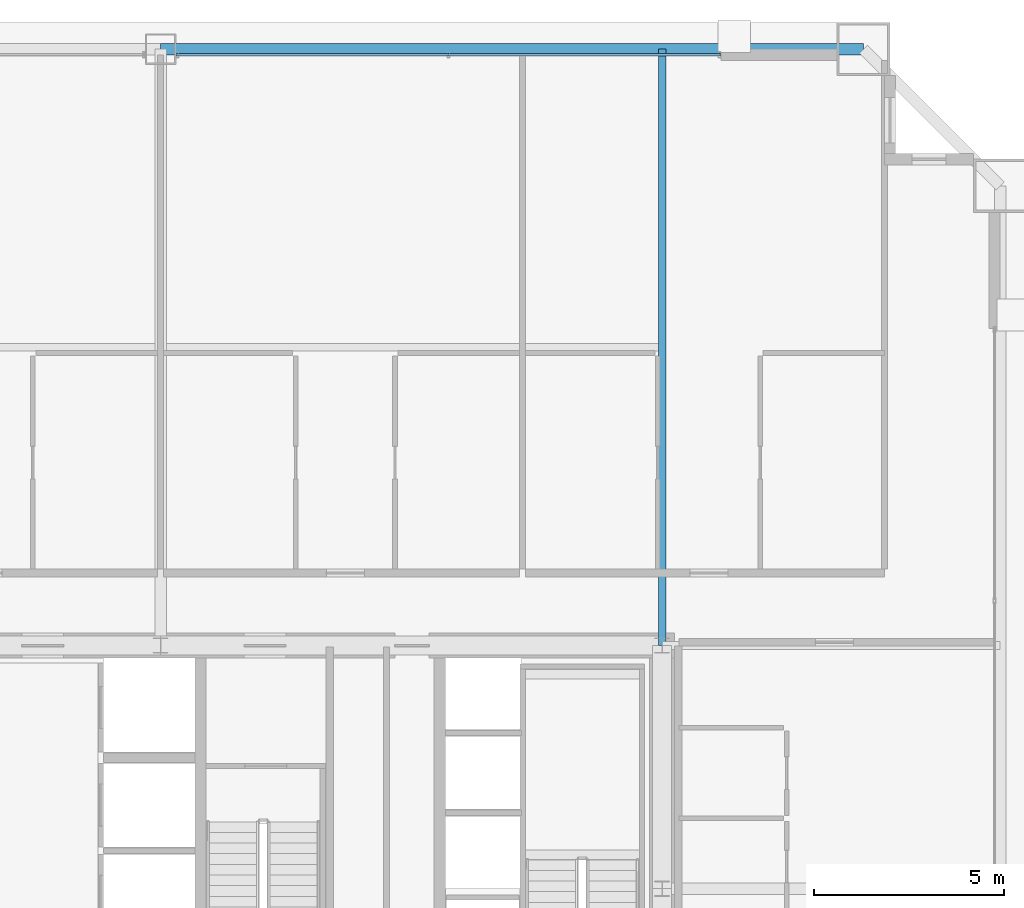
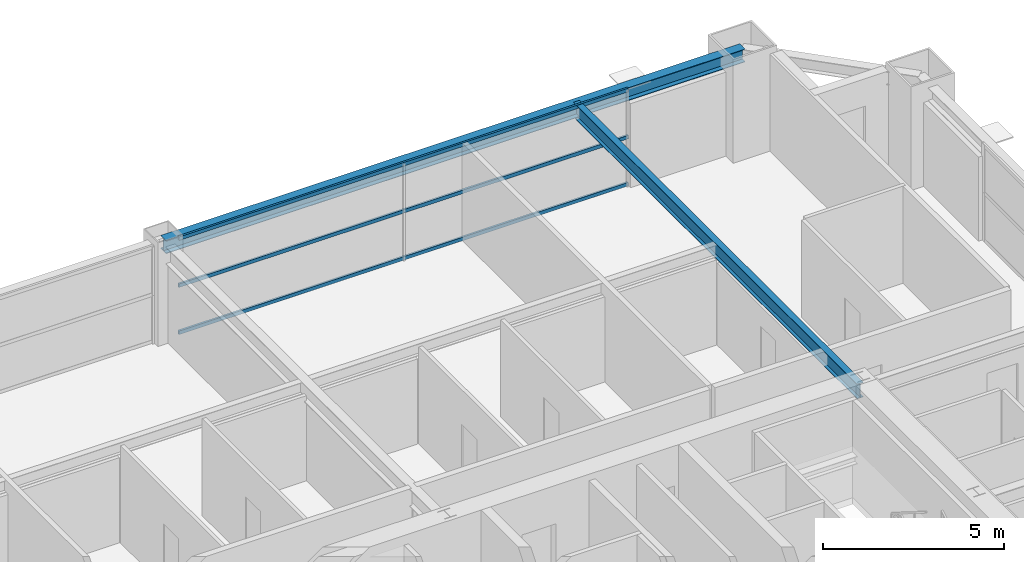
# One storey, part 30 of 38: 3 members, 2 beams, 1 element without a shape of its own.
"""IFC4 building model written with IfcOpenShell, lengths in metres."""

from ifc_helpers import new_model, si_unit, direction, frame, origin, origin_2d, place, context, subcontext, project, spatial, hollow_rectangle, i_section, extrude, source, transform, mapped, material, layer, layer_set, material_profile, profile_set, type_object, element, aggregate, save


model = new_model("IFC4")

# Units and contexts
model_context = context("Model", 3, precision=1e-05, world=origin(), true_north=direction((0.0, 1.0)))
body_context = subcontext(model_context, "Body", "Model", "MODEL_VIEW")
ifc_project = project(units=[si_unit("LENGTHUNIT", "METRE"), si_unit("AREAUNIT", "SQUARE_METRE"), si_unit("VOLUMEUNIT", "CUBIC_METRE"), si_unit("PLANEANGLEUNIT", "RADIAN"), si_unit("MASSUNIT", "GRAM", prefix="KILO"), si_unit("THERMODYNAMICTEMPERATUREUNIT", "KELVIN"), si_unit("POWERUNIT", "WATT")], contexts=[model_context])

# Site, building, storey
site_placement = place(None, origin())
site = spatial("IfcSite", under=ifc_project, at=site_placement, CompositionType="ELEMENT")
building_placement = place(site_placement, origin())
building = spatial("IfcBuilding", under=site, at=building_placement, Name="Yuzanri Waterfront Tower", CompositionType="ELEMENT")
storey_placement = place(building_placement, frame((0.0, 0.0, 181.0)))
storey = spatial("IfcBuildingStorey", under=building, at=storey_placement, Name="L47", CompositionType="ELEMENT", Elevation=181.0)

# Beams
ifc_material_1 = material(Name="Steel Q355B", Category="steel")
ifc_material_profile_1 = material_profile(ifc_material_1, i_section(OverallWidth=0.300048828125, OverallDepth=0.43994140625, WebThickness=0.010986328125, FlangeThickness=0.01806640625, at=origin_2d()), Name="HM 440x300x11x18")
ifc_profile_set_1 = profile_set([ifc_material_profile_1], Name="Steel Q355B")
beam_type_1 = type_object("IfcBeamType", Name="Perimeter Spandrel Q355B HM 440x300", PredefinedType="SPANDREL", material=ifc_profile_set_1)
shared_shape_1 = source(origin(), body_context, "Body", "SweptSolid", [
    extrude(i_section(OverallWidth=0.300048828125, OverallDepth=0.43994140625, WebThickness=0.010986328125, FlangeThickness=0.01806640625, at=origin_2d()), origin(), (0.0, 0.0, 1.0), 18.5),
])
beam_1_placement = place(storey_placement, frame((55.5, 47.89990234375, 3.06005859375), z_axis=(-1.0, 0.0, 0.0), x_axis=(0.0, -1.0, 0.0)))
element("IfcBeam", 1, at=beam_1_placement, inside=storey, type_object=beam_type_1, Name="L47 Perimeter Spandrel N3-N2", PredefinedType="SPANDREL", context=body_context, shape_type="MappedRepresentation", body=[
    mapped(shared_shape_1, transform((0.0, 0.0, 0.0), scale=1.0)),
])
ifc_material_2 = material(Name="Steel Q355B", Category="steel")
ifc_material_profile_2 = material_profile(ifc_material_2, i_section(OverallWidth=0.199951171875, OverallDepth=0.5, WebThickness=0.010009765625, FlangeThickness=0.01611328125, at=origin_2d()), Name="HN 500x200x10x16")
ifc_profile_set_2 = profile_set([ifc_material_profile_2], Name="Steel Q355B")
beam_type_2 = type_object("IfcBeamType", Name="Secondary Floor Beam Q355B HN 500x200", PredefinedType="BEAM", material=ifc_profile_set_2)
shared_shape_2 = source(origin(), body_context, "Body", "SweptSolid", [
    extrude(i_section(OverallWidth=0.199951171875, OverallDepth=0.5, WebThickness=0.010009765625, FlangeThickness=0.01611328125, at=origin_2d()), origin(), (0.0, 0.0, 1.0), 15.699951171875),
])
beam_2_placement = place(storey_placement, frame((50.199951171875, 32.199951171875, 3.030029296875), z_axis=(0.0, 1.0, 0.0), x_axis=(-1.0, 0.0, 0.0)))
element("IfcBeam", 2, at=beam_2_placement, inside=storey, type_object=beam_type_2, Name="L47 North-East Core Line Beam", PredefinedType="BEAM", context=body_context, shape_type="MappedRepresentation", body=[
    mapped(shared_shape_2, transform((0.0, 0.0, 0.0), scale=1.0)),
])

# Curtain wall, members
ifc_material_3 = material(Name="Anodized Architectural Bronze", Category="metal")
ifc_layer = layer(ifc_material_3, 0.159912109375)
ifc_layer_set = layer_set([ifc_layer], Name="Anodized Architectural Bronze")
curtain_wall_type = type_object("IfcCurtainWallType", Name="Anodized Bronze Mid-Rise Residential Acoustic Unitized Curtain Wall 7200", PredefinedType="NOTDEFINED", material=ifc_layer_set)
curtain_wall_placement = place(storey_placement, origin())
curtain_wall = element("IfcCurtainWall", 3, at=curtain_wall_placement, inside=storey, type_object=curtain_wall_type, Name="L47 Curtain Wall CW-L47-NR", PredefinedType="NOTDEFINED")
ifc_material_4 = material(Name="Anodized Architectural Bronze", Category="metal")
ifc_material_profile_3 = material_profile(ifc_material_4, hollow_rectangle(XDim=0.06494140625, YDim=0.1201171875, WallThickness=0.00341796875, at=origin_2d()), Name="CWT 65x120")
ifc_profile_set_3 = profile_set([ifc_material_profile_3], Name="Anodized Architectural Bronze")
member_type = type_object("IfcMemberType", Name="Anodized Bronze Secondary Curtain-Wall Transom 65x120", PredefinedType="USERDEFINED", material=ifc_profile_set_3)
shared_shape_3 = source(origin(), body_context, "Body", "SweptSolid", [
    extrude(hollow_rectangle(XDim=0.06494140625, YDim=0.1201171875, WallThickness=0.00341796875, at=origin_2d()), origin(), (0.0, 0.0, 1.0), 14.35009765625),
])
member_1_placement = place(storey_placement, frame((37.39990234375, 47.75, 0.050048828125), z_axis=(1.0, 0.0, 0.0), x_axis=(0.0, 1.0, 0.0)))
member_1 = element("IfcMember", 4, at=member_1_placement, type_object=member_type, Name="CW-L47-NR Transom 1", ObjectType="TRANSOM", PredefinedType="USERDEFINED", context=body_context, shape_type="MappedRepresentation", body=[
    mapped(shared_shape_3, transform((0.0, 0.0, 0.0), scale=1.0)),
])
member_2_placement = place(storey_placement, frame((37.39990234375, 47.75, 1.639892578125), z_axis=(1.0, 0.0, 0.0), x_axis=(0.0, 1.0, 0.0)))
member_2 = element("IfcMember", 5, at=member_2_placement, type_object=member_type, Name="CW-L47-NR Transom 2", ObjectType="TRANSOM", PredefinedType="USERDEFINED", context=body_context, shape_type="MappedRepresentation", body=[
    mapped(shared_shape_3, transform((0.0, 0.0, 0.0), scale=1.0)),
])
member_3_placement = place(storey_placement, frame((37.39990234375, 47.75, 3.22998046875), z_axis=(1.0, 0.0, 0.0), x_axis=(0.0, 1.0, 0.0)))
member_3 = element("IfcMember", 6, at=member_3_placement, type_object=member_type, Name="CW-L47-NR Transom 3", ObjectType="TRANSOM", PredefinedType="USERDEFINED", context=body_context, shape_type="MappedRepresentation", body=[
    mapped(shared_shape_3, transform((0.0, 0.0, 0.0), scale=1.0)),
])
aggregate(curtain_wall, [member_1, member_2, member_3])

save(model, "model.ifc")
